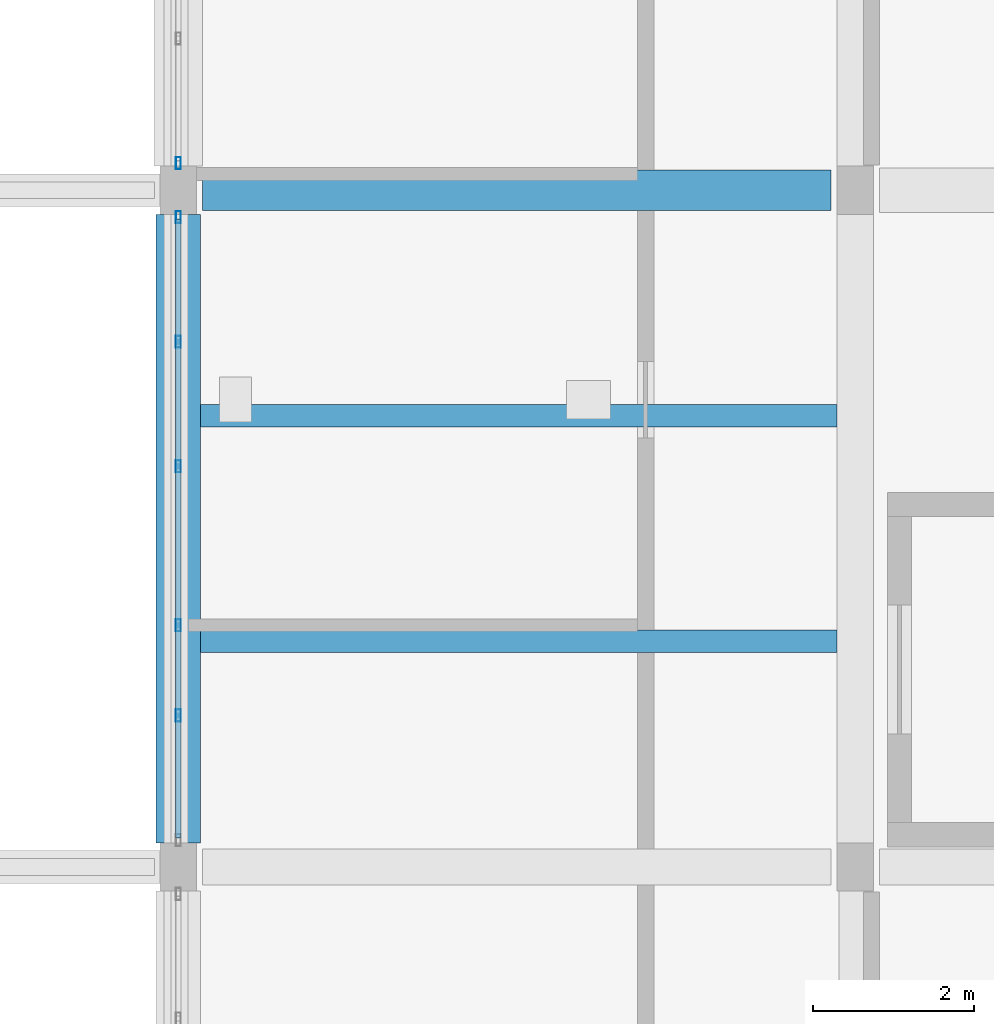
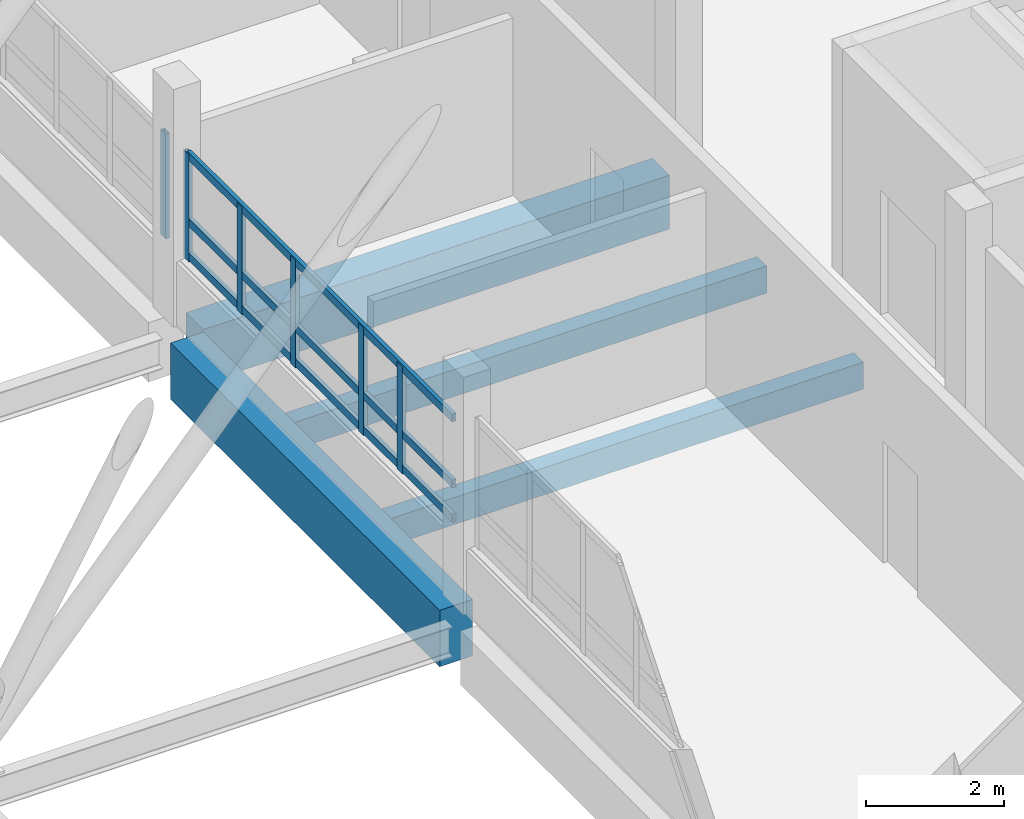
# One storey, part 21 of 107: 9 members, 4 beams, 2 elements without a shape of their own.
"""IFC4 building model written with IfcOpenShell, lengths in metres."""

from ifc_helpers import new_model, si_unit, direction, frame, origin, origin_2d, place, context, subcontext, project, spatial, rectangle, hollow_rectangle, extrude, material, layer, layer_set, material_profile, profile_set, type_object, element, aggregate, save


model = new_model("IFC4")

# Units and contexts
model_context = context("Model", 3, precision=1e-05, world=origin(), true_north=direction((0.0, 1.0)))
body_context = subcontext(model_context, "Body", "Model", "MODEL_VIEW")
ifc_project = project(units=[si_unit("LENGTHUNIT", "METRE"), si_unit("AREAUNIT", "SQUARE_METRE"), si_unit("VOLUMEUNIT", "CUBIC_METRE"), si_unit("PLANEANGLEUNIT", "RADIAN"), si_unit("MASSUNIT", "GRAM", prefix="KILO")], contexts=[model_context])

# Site, building, storey
site_placement = place(None, origin())
site = spatial("IfcSite", under=ifc_project, at=site_placement, CompositionType="ELEMENT")
building_placement = place(site_placement, origin())
building = spatial("IfcBuilding", under=site, at=building_placement, Name="Vireocrest Preparatory School", CompositionType="ELEMENT")
storey_placement = place(building_placement, frame((0.0, 0.0, 13.199951171875)))
storey = spatial("IfcBuildingStorey", under=building, at=storey_placement, Name="L03", CompositionType="ELEMENT", Elevation=13.199951171875)

# Curtain wall, members
ifc_material_1 = material(Name="Thermally broken aluminium EN AW-6063-T6", Category="aluminium")
ifc_layer = layer(ifc_material_1, 0.179931640625)
ifc_layer_set = layer_set([ifc_layer], Name="Thermally broken aluminium EN AW-6063-T6")
curtain_wall_type = type_object("IfcCurtainWallType", Name="Court Banded Curtain Wall 8400x3000", PredefinedType="USERDEFINED", material=ifc_layer_set)
curtain_wall_1_placement = place(storey_placement, origin())
curtain_wall_1 = element("IfcCurtainWall", 1, at=curtain_wall_1_placement, inside=storey, type_object=curtain_wall_type, Name="Curtain Wall CW02 CW_L03_CW02_0924_0441_144", ObjectType="CURTAIN WALL", PredefinedType="USERDEFINED")
ifc_material_profile_1 = material_profile(ifc_material_1, hollow_rectangle(XDim=0.06494140625, YDim=0.14990234375, WallThickness=0.00390625, at=origin_2d()), Name="ALU 65x150x4")
ifc_profile_set_1 = profile_set([ifc_material_profile_1], Name="Thermally broken aluminium EN AW-6063-T6")
member_type_1 = type_object("IfcMemberType", Name="CW Mullion 65x150x4", PredefinedType="MULLION", material=ifc_profile_set_1)
member_1_placement = place(storey_placement, frame((92.39990234375, 45.680908203125, 1.150146484375), z_axis=(0.0, 0.0, 1.0), x_axis=(1.0, 0.0, 0.0)))
member_1 = element("IfcMember", 2, at=member_1_placement, type_object=member_type_1, Name="CW Mullion ML1 CW_L03_CW02_0924_0441_144-2", PredefinedType="MULLION", context=body_context, shape_type="SweptSolid", body=[
    extrude(hollow_rectangle(XDim=0.06494140625, YDim=0.14990234375, WallThickness=0.00390625, at=origin_2d()), origin(), (0.0, 0.0, 1.0), 1.90478515625),
])
member_2_placement = place(storey_placement, frame((92.39990234375, 46.800048828125, 1.150146484375), z_axis=(0.0, 0.0, 1.0), x_axis=(1.0, 0.0, 0.0)))
member_2 = element("IfcMember", 3, at=member_2_placement, type_object=member_type_1, Name="CW Mullion ML1 CW_L03_CW02_0924_0441_144-3", PredefinedType="MULLION", context=body_context, shape_type="SweptSolid", body=[
    extrude(hollow_rectangle(XDim=0.06494140625, YDim=0.14990234375, WallThickness=0.00390625, at=origin_2d()), origin(), (0.0, 0.0, 1.0), 1.90478515625),
])
member_3_placement = place(storey_placement, frame((92.39990234375, 48.77294921875, 1.150146484375), z_axis=(0.0, 0.0, 1.0), x_axis=(1.0, 0.0, 0.0)))
member_3 = element("IfcMember", 4, at=member_3_placement, type_object=member_type_1, Name="CW Mullion ML1 CW_L03_CW02_0924_0441_144-4", PredefinedType="MULLION", context=body_context, shape_type="SweptSolid", body=[
    extrude(hollow_rectangle(XDim=0.06494140625, YDim=0.14990234375, WallThickness=0.00390625, at=origin_2d()), origin(), (0.0, 0.0, 1.0), 1.90478515625),
])
member_4_placement = place(storey_placement, frame((92.39990234375, 50.319091796875, 1.150146484375), z_axis=(0.0, 0.0, 1.0), x_axis=(1.0, 0.0, 0.0)))
member_4 = element("IfcMember", 5, at=member_4_placement, type_object=member_type_1, Name="CW Mullion ML1 CW_L03_CW02_0924_0441_144-5", PredefinedType="MULLION", context=body_context, shape_type="SweptSolid", body=[
    extrude(hollow_rectangle(XDim=0.06494140625, YDim=0.14990234375, WallThickness=0.00390625, at=origin_2d()), origin(), (0.0, 0.0, 1.0), 1.90478515625),
])
member_5_placement = place(storey_placement, frame((92.39990234375, 51.864990234375, 1.150146484375), z_axis=(0.0, 0.0, 1.0), x_axis=(1.0, 0.0, 0.0)))
member_5 = element("IfcMember", 6, at=member_5_placement, type_object=member_type_1, Name="CW Mullion ML1 CW_L03_CW02_0924_0441_144-6", PredefinedType="MULLION", context=body_context, shape_type="SweptSolid", body=[
    extrude(hollow_rectangle(XDim=0.06494140625, YDim=0.14990234375, WallThickness=0.00390625, at=origin_2d()), origin(), (0.0, 0.0, 1.0), 1.90478515625),
])

# Curtain wall, member
curtain_wall_2_placement = place(storey_placement, origin())
curtain_wall_2 = element("IfcCurtainWall", 7, at=curtain_wall_2_placement, inside=storey, type_object=curtain_wall_type, Name="Curtain Wall CW02 CW_L03_CW02_0924_0525_144", ObjectType="CURTAIN WALL", PredefinedType="USERDEFINED")
member_6_placement = place(storey_placement, frame((92.39990234375, 52.534912109375, 1.150146484375), z_axis=(0.0, 0.0, 1.0), x_axis=(1.0, 0.0, 0.0)))
member_6 = element("IfcMember", 8, at=member_6_placement, type_object=member_type_1, Name="CW Mullion ML1 CW_L03_CW02_0924_0525_144-1", PredefinedType="MULLION", context=body_context, shape_type="SweptSolid", body=[
    extrude(hollow_rectangle(XDim=0.06494140625, YDim=0.14990234375, WallThickness=0.00390625, at=origin_2d()), origin(), (0.0, 0.0, 1.0), 1.85498046875),
])
aggregate(curtain_wall_2, [member_6])

# Member
ifc_material_profile_2 = material_profile(ifc_material_1, hollow_rectangle(XDim=0.06494140625, YDim=0.139892578125, WallThickness=0.00390625, at=origin_2d()), Name="ALU 65x140x4")
ifc_profile_set_2 = profile_set([ifc_material_profile_2], Name="Thermally broken aluminium EN AW-6063-T6")
member_type_2 = type_object("IfcMemberType", Name="CW Transom 65x140x4", PredefinedType="USERDEFINED", material=ifc_profile_set_2)
member_7_placement = place(storey_placement, frame((92.39990234375, 44.159912109375, 1.2451171875), z_axis=(0.0, 1.0, 0.0), x_axis=(-1.0, 0.0, 0.0)))
member_7 = element("IfcMember", 9, at=member_7_placement, type_object=member_type_2, Name="CW Transom TR1 CW_L03_CW02_0924_0441_144-1", ObjectType="TRANSOM", PredefinedType="USERDEFINED", context=body_context, shape_type="SweptSolid", body=[
    extrude(hollow_rectangle(XDim=0.06494140625, YDim=0.139892578125, WallThickness=0.00390625, at=origin_2d()), origin(), (0.0, 0.0, 1.0), 7.68017578125),
])

member_8_placement = place(storey_placement, frame((92.39990234375, 44.159912109375, 1.85009765625), z_axis=(0.0, 1.0, 0.0), x_axis=(-1.0, 0.0, 0.0)))
member_8 = element("IfcMember", 10, at=member_8_placement, type_object=member_type_2, Name="CW Transom TR1 CW_L03_CW02_0924_0441_144-2", ObjectType="TRANSOM", PredefinedType="USERDEFINED", context=body_context, shape_type="SweptSolid", body=[
    extrude(hollow_rectangle(XDim=0.06494140625, YDim=0.139892578125, WallThickness=0.00390625, at=origin_2d()), origin(), (0.0, 0.0, 1.0), 7.68017578125),
])

member_9_placement = place(storey_placement, frame((92.39990234375, 44.159912109375, 3.01513671875), z_axis=(0.0, 1.0, 0.0), x_axis=(-1.0, 0.0, 0.0)))
member_9 = element("IfcMember", 11, at=member_9_placement, type_object=member_type_2, Name="CW Transom TR1 CW_L03_CW02_0924_0441_144-3", ObjectType="TRANSOM", PredefinedType="USERDEFINED", context=body_context, shape_type="SweptSolid", body=[
    extrude(hollow_rectangle(XDim=0.06494140625, YDim=0.139892578125, WallThickness=0.00390625, at=origin_2d()), origin(), (0.0, 0.0, 1.0), 7.68017578125),
])

aggregate(curtain_wall_1, [member_1, member_2, member_3, member_4, member_5, member_7, member_8, member_9])

# Beams
ifc_material_2 = material(Name="Concrete 40 MPa", Category="concrete")
ifc_material_profile_3 = material_profile(ifc_material_2, rectangle(XDim=0.5, YDim=0.949951171875, at=origin_2d()), Name="RC 500x950")
ifc_profile_set_3 = profile_set([ifc_material_profile_3], Name="Concrete 40 MPa")
beam_type_1 = type_object("IfcBeamType", Name="RC Basement Ceiling Girder 500x950", PredefinedType="BEAM", material=ifc_profile_set_3)
beam_1_placement = place(storey_placement, frame((92.699951171875, 52.199951171875, -0.73486328125), z_axis=(1.0, 0.0, 0.0), x_axis=(0.0, 1.0, 0.0)))
element("IfcBeam", 12, at=beam_1_placement, inside=storey, type_object=beam_type_1, Name="Primary Girder B16 L03-1058", PredefinedType="BEAM", context=body_context, shape_type="SweptSolid", body=[
    extrude(rectangle(XDim=0.5, YDim=0.949951171875, at=origin_2d()), origin(), (0.0, 0.0, 1.0), 7.800048828125),
])
ifc_material_profile_4 = material_profile(ifc_material_2, rectangle(XDim=0.550048828125, YDim=1.0, at=origin_2d()), Name="RC 550x1000")
ifc_profile_set_4 = profile_set([ifc_material_profile_4], Name="Concrete 40 MPa")
beam_type_2 = type_object("IfcBeamType", Name="RC Core Coupling Beam 550x1000", PredefinedType="BEAM", material=ifc_profile_set_4)
beam_2_placement = place(storey_placement, frame((92.39990234375, 44.10009765625, -0.760009765625), z_axis=(0.0, 1.0, 0.0), x_axis=(-1.0, 0.0, 0.0)))
element("IfcBeam", 13, at=beam_2_placement, inside=storey, type_object=beam_type_2, Name="Primary Girder B18 L03-1145", PredefinedType="BEAM", context=body_context, shape_type="SweptSolid", body=[
    extrude(rectangle(XDim=0.550048828125, YDim=1.0, at=origin_2d()), origin(), (0.0, 0.0, 1.0), 7.7998046875),
])
ifc_material_profile_5 = material_profile(ifc_material_2, rectangle(XDim=0.280029296875, YDim=0.47998046875, at=origin_2d()), Name="RC 280x480")
ifc_profile_set_5 = profile_set([ifc_material_profile_5], Name="Concrete 40 MPa")
beam_type_3 = type_object("IfcBeamType", Name="RC Secondary Lab Joist 280x480", PredefinedType="JOIST", material=ifc_profile_set_5)
for number, where, z_axis, x_axis, name in (
    (14, (92.675048828125, 46.60009765625, -0.5), (1.0, 0.0, 0.0), (0.0, 1.0, 0.0), "Secondary Joist J02 L03-1243"),
    (15, (92.675048828125, 49.39990234375, -0.5), (1.0, 0.0, 0.0), (0.0, 1.0, 0.0), "Secondary Joist J02 L03-1244"),
):
    element("IfcBeam", number, at=place(storey_placement, frame(where, z_axis=z_axis, x_axis=x_axis)), inside=storey, type_object=beam_type_3, Name=name, PredefinedType="JOIST", context=body_context, shape_type="SweptSolid", body=[
        extrude(rectangle(XDim=0.280029296875, YDim=0.47998046875, at=origin_2d()), origin(), (0.0, 0.0, 1.0), 7.89990234375),
    ])

save(model, "model.ifc")
